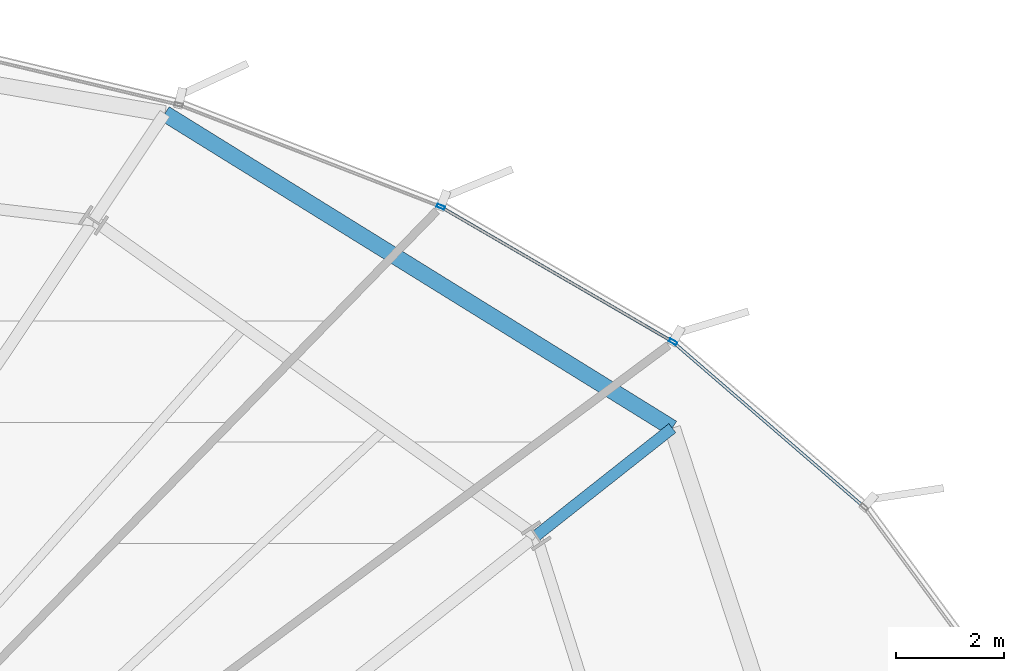
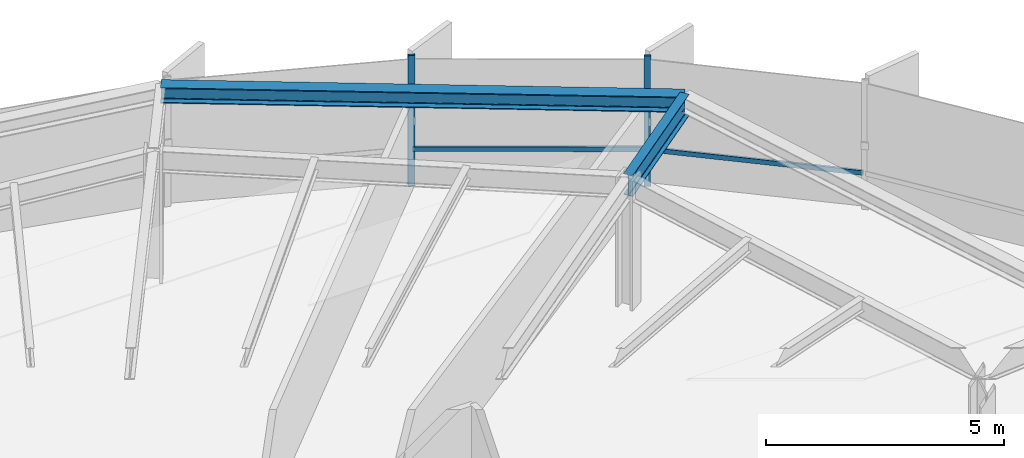
# One storey, part 26 of 35: 4 members, 2 beams, 1 element without a shape of its own.
"""IFC4 building model written with IfcOpenShell, lengths in metres."""

from ifc_helpers import new_model, si_unit, direction, frame, origin, origin_2d, place, context, subcontext, project, spatial, hollow_rectangle, i_section, extrude, source, transform, mapped, material, layer, layer_set, material_profile, profile_set, type_object, element, aggregate, save


model = new_model("IFC4")

# Units and contexts
model_context = context("Model", 3, precision=1e-05, world=origin(), true_north=direction((0.0, 1.0)))
body_context = subcontext(model_context, "Body", "Model", "MODEL_VIEW")
ifc_project = project(units=[si_unit("LENGTHUNIT", "METRE"), si_unit("AREAUNIT", "SQUARE_METRE"), si_unit("VOLUMEUNIT", "CUBIC_METRE"), si_unit("PLANEANGLEUNIT", "RADIAN"), si_unit("MASSUNIT", "GRAM", prefix="KILO"), si_unit("THERMODYNAMICTEMPERATUREUNIT", "KELVIN")], contexts=[model_context])

# Site, building, storey
site_placement = place(None, origin())
site = spatial("IfcSite", under=ifc_project, at=site_placement, CompositionType="ELEMENT")
building_placement = place(site_placement, origin())
building = spatial("IfcBuilding", under=site, at=building_placement, Name="Kethvar Cultural Tower", CompositionType="ELEMENT")
storey_placement = place(building_placement, frame((0.0, 0.0, 89.199951171875)))
storey = spatial("IfcBuildingStorey", under=building, at=storey_placement, Name="L21", CompositionType="ELEMENT", Elevation=89.199951171875)

# Beams
ifc_material_1 = material(Name="Steel S355J2", Category="steel")
ifc_material_profile_1 = material_profile(ifc_material_1, i_section(OverallWidth=0.2099609375, OverallDepth=0.550048828125, WebThickness=0.010986328125, FlangeThickness=0.01708984375, FilletRadius=0.02392578125, at=origin_2d()), Name="Steel S355J2 — IPE550")
ifc_profile_set_1 = profile_set([ifc_material_profile_1], Name="Steel S355J2 — IPE550")
beam_type_1 = type_object("IfcBeamType", Name="BM-IPE550", PredefinedType="BEAM", material=ifc_profile_set_1)
shared_shape_1 = source(origin(), body_context, "Body", "SweptSolid", [
    extrude(i_section(OverallWidth=0.2099609375, OverallDepth=0.550048828125, WebThickness=0.010986328125, FlangeThickness=0.01708984375, FilletRadius=0.02392578125, at=origin_2d()), origin(), (0.0, 0.0, 1.0), 3.2001953125),
])
beam_1_placement = place(storey_placement, frame((68.568603515625, 42.34521484375, 3.072998046875), z_axis=(0.784650322996, 0.619938602301, 0.0), x_axis=(-0.619938602301, 0.784650322996, 0.0)))
element("IfcBeam", 1, at=beam_1_placement, inside=storey, type_object=beam_type_1, Name="L21 Perimeter Cantilever Beam RC-02", PredefinedType="BEAM", context=body_context, shape_type="MappedRepresentation", body=[
    mapped(shared_shape_1, transform((0.0, 0.0, 0.0), scale=1.0)),
])
ifc_material_profile_2 = material_profile(ifc_material_1, i_section(OverallWidth=0.300048828125, OverallDepth=0.39990234375, WebThickness=0.013427734375, FlangeThickness=0.02392578125, FilletRadius=0.027099609375, at=origin_2d()), Name="Steel S355J2 — HEB400")
ifc_profile_set_2 = profile_set([ifc_material_profile_2], Name="Steel S355J2 — HEB400")
beam_type_2 = type_object("IfcBeamType", Name="BM-SP400", PredefinedType="SPANDREL", material=ifc_profile_set_2)
shared_shape_2 = source(origin(), body_context, "Body", "SweptSolid", [
    extrude(i_section(OverallWidth=0.300048828125, OverallDepth=0.39990234375, WebThickness=0.013427734375, FlangeThickness=0.02392578125, FilletRadius=0.027099609375, at=origin_2d()), origin(), (0.0, 0.0, 1.0), 11.01123046875),
])
beam_2_placement = place(storey_placement, frame((71.07958984375, 44.3291015625, 3.14794921875), z_axis=(-0.849985296102, 0.526806412651, 0.0), x_axis=(-0.526806412651, -0.849985296102, 0.0)))
element("IfcBeam", 2, at=beam_2_placement, inside=storey, type_object=beam_type_2, Name="L21 Perimeter Spandrel Beam SP-02", PredefinedType="SPANDREL", context=body_context, shape_type="MappedRepresentation", body=[
    mapped(shared_shape_2, transform((0.0, 0.0, 0.0), scale=1.0)),
])

# Curtain wall, members
ifc_material_2 = material(Name="Aluminium 6063-T6", Category="aluminium")
ifc_layer = layer(ifc_material_2, 0.179931640625, Name="Aluminium 6063-T6", Category="aluminium")
ifc_layer_set = layer_set([ifc_layer], Name="Aluminium 6063-T6 (180 mm)")
curtain_wall_type = type_object("IfcCurtainWallType", Name="CW-SYS-03-Z2", PredefinedType="NOTDEFINED", material=ifc_layer_set)
curtain_wall_placement = place(storey_placement, origin())
curtain_wall = element("IfcCurtainWall", 3, at=curtain_wall_placement, inside=storey, type_object=curtain_wall_type, Name="L21 Curtain Wall Run 01", PredefinedType="NOTDEFINED")
ifc_material_profile_3 = material_profile(ifc_material_2, hollow_rectangle(XDim=0.06005859375, YDim=0.14990234375, WallThickness=0.0048828125, at=origin_2d()), Name="Aluminium 6063-T6 — RHS150x60x5")
ifc_profile_set_3 = profile_set([ifc_material_profile_3], Name="Aluminium 6063-T6 — RHS150x60x5")
member_type_1 = type_object("IfcMemberType", Name="CW-SYS-03-Z2-MUL", PredefinedType="MULLION", material=ifc_profile_set_3)
shared_shape_3 = source(origin(), body_context, "Body", "SweptSolid", [
    extrude(hollow_rectangle(XDim=0.06005859375, YDim=0.14990234375, WallThickness=0.0048828125, at=origin_2d()), origin(), (0.0, 0.0, 1.0), 3.35009765625),
])
member_1_placement = place(storey_placement, frame((71.093017578125, 45.9189453125, 0.0), z_axis=(0.0, 0.0, 1.0), x_axis=(-0.502657875929, -0.864485430627, 0.0)))
member_1 = element("IfcMember", 4, at=member_1_placement, type_object=member_type_1, Name="CW-L21-R01 Mullion 4", PredefinedType="MULLION", context=body_context, shape_type="MappedRepresentation", body=[
    mapped(shared_shape_3, transform((0.0, 0.0, 0.0), scale=1.0)),
])
member_2_placement = place(storey_placement, frame((66.808349609375, 48.411865234375, 0.0), z_axis=(0.0, 0.0, 1.0), x_axis=(-0.362535635932, -0.93196990975, 0.0)))
member_2 = element("IfcMember", 5, at=member_2_placement, type_object=member_type_1, Name="CW-L21-R01 Mullion 5", PredefinedType="MULLION", context=body_context, shape_type="MappedRepresentation", body=[
    mapped(shared_shape_3, transform((0.0, 0.0, 0.0), scale=1.0)),
])
ifc_material_profile_4 = material_profile(ifc_material_2, hollow_rectangle(XDim=0.054931640625, YDim=0.1201171875, WallThickness=0.00390625, at=origin_2d()), Name="Aluminium 6063-T6 — RHS120x55x4")
ifc_profile_set_4 = profile_set([ifc_material_profile_4], Name="Aluminium 6063-T6 — RHS120x55x4")
member_type_2 = type_object("IfcMemberType", Name="CW-SYS-03-Z2-TRN", PredefinedType="USERDEFINED", material=ifc_profile_set_4)
shared_shape_4 = source(origin(), body_context, "Body", "SweptSolid", [
    extrude(hollow_rectangle(XDim=0.054931640625, YDim=0.1201171875, WallThickness=0.00390625, at=origin_2d()), origin(), (0.0, 0.0, 1.0), 4.59423828125),
])
member_3_placement = place(storey_placement, frame((74.5859375, 42.90087890625, 0.949951171875), z_axis=(-0.756944873743, 0.653478735778, 0.0), x_axis=(-0.653478735778, -0.756944873743, 0.0)))
member_3 = element("IfcMember", 6, at=member_3_placement, type_object=member_type_2, Name="CW-L21-R01 Transom 3", ObjectType="TRANSOM", PredefinedType="USERDEFINED", context=body_context, shape_type="MappedRepresentation", body=[
    mapped(shared_shape_4, transform((0.0, 0.0, 0.0), scale=1.0)),
])
shared_shape_5 = source(origin(), body_context, "Body", "SweptSolid", [
    extrude(hollow_rectangle(XDim=0.054931640625, YDim=0.1201171875, WallThickness=0.00390625, at=origin_2d()), origin(), (0.0, 0.0, 1.0), 4.888427734375),
])
member_4_placement = place(storey_placement, frame((71.055419921875, 45.940673828125, 0.949951171875), z_axis=(-0.864471856697, 0.502681220039, 0.0), x_axis=(-0.502681220039, -0.864471856697, 0.0)))
member_4 = element("IfcMember", 7, at=member_4_placement, type_object=member_type_2, Name="CW-L21-R01 Transom 4", ObjectType="TRANSOM", PredefinedType="USERDEFINED", context=body_context, shape_type="MappedRepresentation", body=[
    mapped(shared_shape_5, transform((0.0, 0.0, 0.0), scale=1.0)),
])
aggregate(curtain_wall, [member_1, member_2, member_3, member_4])

save(model, "model.ifc")
